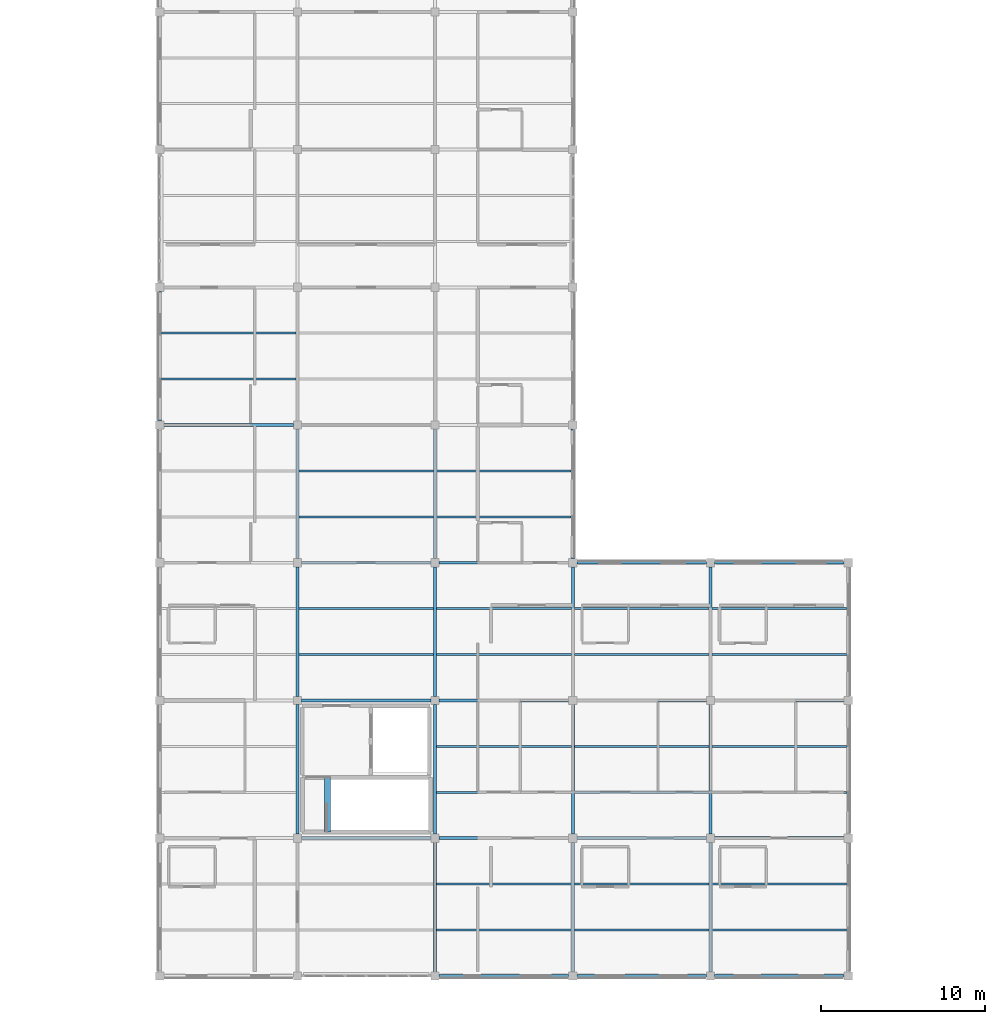
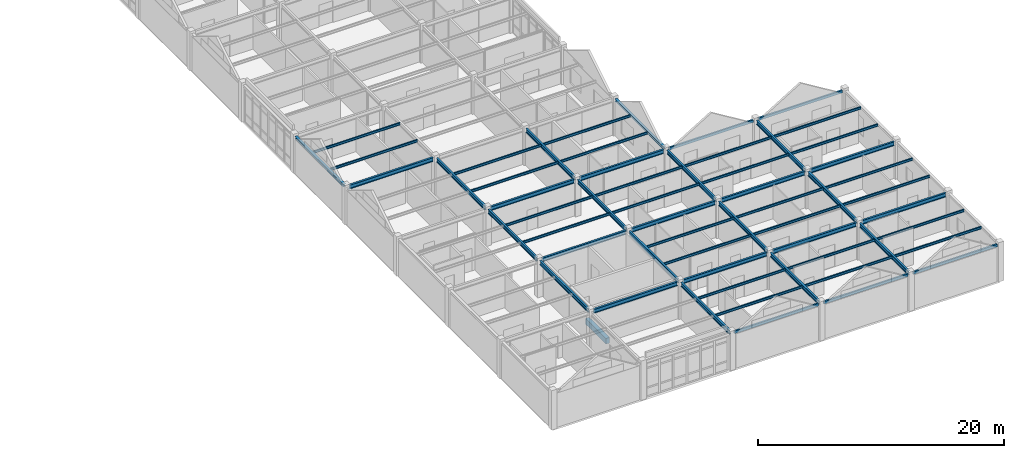
# One storey, part 3 of 45: 58 beams.
"""IFC4 building model written with IfcOpenShell, lengths in metres."""

import ifcopenshell
import ifcopenshell.guid

model = None  # the IFC model being written
_history = None  # IfcOwnerHistory: only IFC2X3 demands one
_inside = {}  # id of a spatial element -> (the spatial element, [elements in it])
_under = {}  # id of a project, library or spatial element -> (it, [spatial elements below it])
_declared = {}  # id of a project -> (the project, [libraries it declares])
_typed = {}  # id of a type object -> (the type object, [elements of that type])
_made_of = {}  # id of a material, layer set ... -> (it, [elements and type objects made of it])


def new_model(schema):
    """Start an empty IFC model of exactly this schema.

    Asked for "IFC4X3", IfcOpenShell would pick the latest addendum, in which some entities
    have other attributes; the version numbers below select the first issue.
    IFC2X3 requires an IfcOwnerHistory on every rooted entity: one is made here for all.
    """
    global model, _history
    if schema == "IFC4X3":
        model = ifcopenshell.file(schema_version=(4, 3, 0, 0))
    else:
        model = ifcopenshell.file(schema=schema)
    _inside.clear()
    _under.clear()
    _declared.clear()
    _typed.clear()
    _made_of.clear()
    _history = None
    if model.schema == "IFC2X3":
        org = make("IfcOrganization", Name="unknown")
        user = make(
            "IfcPersonAndOrganization",
            ThePerson=make("IfcPerson", FamilyName="unknown"),
            TheOrganization=org,
        )
        app = make(
            "IfcApplication",
            ApplicationDeveloper=org,
            Version="unknown",
            ApplicationFullName="unknown",
            ApplicationIdentifier="unknown",
        )
        _history = make(
            "IfcOwnerHistory",
            OwningUser=user,
            OwningApplication=app,
            ChangeAction="ADDED",
            CreationDate=0,
        )
    return model


def make(cls, **values):
    """One entity of the class cls with the attributes given. An attribute that is None is left unset."""
    return model.create_entity(
        cls, **{name: value for name, value in values.items() if value is not None}
    )


def rooted(cls, **values):
    """An entity with a GlobalId (a new one), such as an element, a storey or a relation."""
    return make(cls, GlobalId=ifcopenshell.guid.new(), OwnerHistory=_history, **values)


def si_unit(unit_type, name, prefix=None):
    """IfcSIUnit, for example si_unit("LENGTHUNIT", "METRE", prefix="MILLI")."""
    return make("IfcSIUnit", UnitType=unit_type, Prefix=prefix, Name=name)


def assignment(units):
    """IfcUnitAssignment: the units of a project."""
    return None if units is None else make("IfcUnitAssignment", Units=units)


def point(xyz):
    """IfcCartesianPoint."""
    return None if xyz is None else make("IfcCartesianPoint", Coordinates=xyz)


def direction(xyz):
    """IfcDirection."""
    return None if xyz is None else make("IfcDirection", DirectionRatios=xyz)


def frame(location, z_axis=None, x_axis=None):
    """IfcAxis2Placement3D, a coordinate frame: its origin and axes. An axis left out is left unset."""
    return make(
        "IfcAxis2Placement3D",
        Location=point(location),
        Axis=direction(z_axis),
        RefDirection=direction(x_axis),
    )


def frame_2d(location, x_axis=None):
    """IfcAxis2Placement2D, a coordinate frame in the plane: its origin and x axis."""
    return make(
        "IfcAxis2Placement2D", Location=point(location), RefDirection=direction(x_axis)
    )


def origin():
    """The frame at (0, 0, 0) with its axes left unset."""
    return frame((0.0, 0.0, 0.0))


def origin_2d():
    """The frame at (0, 0) in the plane with its x axis left unset."""
    return frame_2d((0.0, 0.0))


def place(relative_to, where):
    """IfcLocalPlacement: puts the frame where relative to a parent placement (None: the world)."""
    return make(
        "IfcLocalPlacement", PlacementRelTo=relative_to, RelativePlacement=where
    )


def context(
    kind, dimensions, precision=None, world=None, true_north=None, identifier=None
):
    """IfcGeometricRepresentationContext, for example the 3D "Model" context."""
    return make(
        "IfcGeometricRepresentationContext",
        ContextIdentifier=identifier,
        ContextType=kind,
        CoordinateSpaceDimension=dimensions,
        Precision=precision,
        WorldCoordinateSystem=world,
        TrueNorth=true_north,
    )


def subcontext(parent, identifier, kind, view, scale=None):
    """IfcGeometricRepresentationSubContext, for example "Body" below "Model"."""
    return make(
        "IfcGeometricRepresentationSubContext",
        ContextIdentifier=identifier,
        ContextType=kind,
        ParentContext=parent,
        TargetScale=scale,
        TargetView=view,
    )


def project(units=None, contexts=None):
    """IfcProject with its units and contexts."""
    return rooted(
        "IfcProject",
        Name="project",
        RepresentationContexts=contexts,
        UnitsInContext=assignment(units),
    )


def spatial(cls, under=None, at=None, **own):
    """A site, building, storey or space (cls), placed at a placement, below another one or the project."""
    s = rooted(cls, ObjectPlacement=at, **own)
    if under is not None:
        _under.setdefault(under.id(), (under, []))[1].append(s)
    return s


def profile(cls, at=None, kind="AREA", **sizes):
    """A parametric profile (cls). Its sizes go by their IFC names, for example OverallWidth=200.0."""
    return make(cls, ProfileType=kind, Position=at, **sizes)


def rectangle(**sizes):
    """IfcRectangleProfileDef."""
    return profile("IfcRectangleProfileDef", **sizes)


def hollow_rectangle(**sizes):
    """IfcRectangleHollowProfileDef."""
    return profile("IfcRectangleHollowProfileDef", **sizes)


def i_section(**sizes):
    """IfcIShapeProfileDef."""
    return profile("IfcIShapeProfileDef", **sizes)


def extrude(swept, where, along, depth):
    """IfcExtrudedAreaSolid: the profile swept, set in the frame where, extruded along a direction by depth."""
    return make(
        "IfcExtrudedAreaSolid",
        SweptArea=swept,
        Position=where,
        ExtrudedDirection=direction(along),
        Depth=depth,
    )


def shape(context_of_items, identifier, shape_type, items):
    """IfcShapeRepresentation: the items that make up one representation, for example the "Body"."""
    return make(
        "IfcShapeRepresentation",
        ContextOfItems=context_of_items,
        RepresentationIdentifier=identifier,
        RepresentationType=shape_type,
        Items=items,
    )


def material(Name=None, Category=None):
    """IfcMaterial."""
    return make("IfcMaterial", Name=Name, Category=Category)


def material_profile(
    of_material, cross_section, Name=None, Category=None, Priority=None
):
    """IfcMaterialProfile: a cross section and its material."""
    return make(
        "IfcMaterialProfile",
        Name=Name,
        Material=of_material,
        Profile=cross_section,
        Priority=Priority,
        Category=Category,
    )


def profile_set(profiles, Name=None, composite=None):
    """IfcMaterialProfileSet."""
    return make(
        "IfcMaterialProfileSet",
        Name=Name,
        MaterialProfiles=profiles,
        CompositeProfile=composite,
    )


def made_of(thing, what):
    """Note that an element or type object is made of a material, layer set ...; save() writes the relation."""
    if what is not None:
        _made_of.setdefault(what.id(), (what, []))[1].append(thing)
    return thing


def type_object(cls, material=None, **own):
    """A type object (cls), such as IfcWallType, which elements share."""
    return made_of(rooted(cls, **own), material)


def element(
    cls,
    number,
    at=None,
    inside=None,
    cuts=None,
    type_object=None,
    material=None,
    context=None,
    identifier="Body",
    shape_type=None,
    held_by="IfcProductDefinitionShape",
    body=None,
    shapes=None,
    **own,
):
    """One element of the class cls, such as IfcWall. Its Tag is "e" and its number.

    at: its placement. inside: the storey or other place that contains it. cuts: it is an
    opening in that element (IfcRelVoidsElement). A single representation is given by context,
    identifier, shape_type and body (its items); several are given by shapes. held_by: the class
    of the entity that holds the representations. save() writes the other relations.
    """
    e = rooted(cls, Tag="e%d" % number, ObjectPlacement=at, **own)
    if body is not None:
        shapes = [shape(context, identifier, shape_type, body)]
    if shapes is not None:
        e.Representation = make(held_by, Representations=shapes)
    if inside is not None:
        _inside.setdefault(inside.id(), (inside, []))[1].append(e)
    if cuts is not None:
        rooted(
            "IfcRelVoidsElement", RelatingBuildingElement=cuts, RelatedOpeningElement=e
        )
    if type_object is not None:
        _typed.setdefault(type_object.id(), (type_object, []))[1].append(e)
    return made_of(e, material)


def aggregate(whole, parts):
    """IfcRelAggregates: a whole, such as a stair, and the parts it consists of."""
    return rooted("IfcRelAggregates", RelatingObject=whole, RelatedObjects=parts)


def save(model, path):
    """Write the relations noted so far, then the file.

    IfcRelAggregates (storeys below a building ...), IfcRelContainedInSpatialStructure (elements
    in a storey), IfcRelDefinesByType, IfcRelAssociatesMaterial and IfcRelDeclares: one each for
    every whole, place, type object, material and project.
    """
    for whole, parts in _under.values():
        aggregate(whole, parts)
    for where, things in _inside.values():
        rooted(
            "IfcRelContainedInSpatialStructure",
            RelatedElements=things,
            RelatingStructure=where,
        )
    for kind, things in _typed.values():
        rooted("IfcRelDefinesByType", RelatedObjects=things, RelatingType=kind)
    for what, things in _made_of.values():
        rooted("IfcRelAssociatesMaterial", RelatedObjects=things, RelatingMaterial=what)
    for by, libraries in _declared.values():
        rooted("IfcRelDeclares", RelatingContext=by, RelatedDefinitions=libraries)
    model.write(path)


model = new_model("IFC4")

# Units and contexts
model_context = context("Model", 3, precision=1e-05, world=origin(), true_north=direction((0.0, 1.0)))
body_context = subcontext(model_context, "Body", "Model", "MODEL_VIEW")
ifc_project = project(units=[si_unit("LENGTHUNIT", "METRE"), si_unit("AREAUNIT", "SQUARE_METRE"), si_unit("VOLUMEUNIT", "CUBIC_METRE"), si_unit("PLANEANGLEUNIT", "RADIAN"), si_unit("MASSUNIT", "GRAM", prefix="KILO")], contexts=[model_context])

# Site, building, storey
site_placement = place(None, origin())
site = spatial("IfcSite", under=ifc_project, at=site_placement, CompositionType="ELEMENT")
building_placement = place(site_placement, origin())
building = spatial("IfcBuilding", under=site, at=building_placement, Name="Bramfleet General Hospital", CompositionType="ELEMENT")
storey_placement = place(building_placement, frame((0.0, 0.0, 30.300048828125)))
storey = spatial("IfcBuildingStorey", under=building, at=storey_placement, Name="L07", CompositionType="ELEMENT", Elevation=30.300048828125)

# Beams
ifc_material_1 = material(Name="Steel S355", Category="steel")
ifc_material_profile_1 = material_profile(ifc_material_1, i_section(OverallWidth=0.239990234375, OverallDepth=0.22998046875, WebThickness=0.007568359375, FlangeThickness=0.011962890625, FilletRadius=0.02099609375, at=origin_2d()), Name="HEA 240")
ifc_profile_set_1 = profile_set([ifc_material_profile_1], Name="Steel S355")
beam_type_1 = type_object("IfcBeamType", Name="BM-HEA240", PredefinedType="SPANDREL", material=ifc_profile_set_1)
beam_1_placement = place(storey_placement, frame((92.39990234375, 33.85009765625, 3.544921875), z_axis=(0.0, 1.0, 0.0), x_axis=(-1.0, 0.0, 0.0)))
element("IfcBeam", 1, at=beam_1_placement, inside=storey, type_object=beam_type_1, Name="L07 Grid Beam Y 11-04", PredefinedType="SPANDREL", context=body_context, shape_type="SweptSolid", body=[
    extrude(i_section(OverallWidth=0.239990234375, OverallDepth=0.22998046875, WebThickness=0.007568359375, FlangeThickness=0.011962890625, FilletRadius=0.02099609375, at=origin_2d()), origin(), (0.0, 0.0, 1.0), 7.89990234375),
])
beam_2_placement = place(storey_placement, frame((117.60009765625, 25.449951171875, 3.544921875), z_axis=(0.0, 1.0, 0.0), x_axis=(-1.0, 0.0, 0.0)))
element("IfcBeam", 2, at=beam_2_placement, inside=storey, type_object=beam_type_1, Name="L07 Grid Beam Y 14-03", PredefinedType="SPANDREL", context=body_context, shape_type="SweptSolid", body=[
    extrude(i_section(OverallWidth=0.239990234375, OverallDepth=0.22998046875, WebThickness=0.007568359375, FlangeThickness=0.011962890625, FilletRadius=0.02099609375, at=origin_2d()), origin(), (0.0, 0.0, 1.0), 7.900146484375),
])
ifc_material_profile_2 = material_profile(ifc_material_1, i_section(OverallWidth=0.1201171875, OverallDepth=0.239990234375, WebThickness=0.006103515625, FlangeThickness=0.009765625, FilletRadius=0.014892578125, at=origin_2d()), Name="IPE 240")
ifc_profile_set_2 = profile_set([ifc_material_profile_2], Name="Steel S355")
beam_type_2 = type_object("IfcBeamType", Name="BM-IPE240", PredefinedType="JOIST", material=ifc_profile_set_2)
for number, where, z_axis, x_axis, name in (
    (3, (92.52001953125, 36.39990234375, 3.5400390625), (1.0, 0.0, 0.0), (0.0, 1.0, 0.0), "L07 Secondary Joist 11-04-1"),
    (4, (92.52001953125, 39.199951171875, 3.5400390625), (1.0, 0.0, 0.0), (0.0, 1.0, 0.0), "L07 Secondary Joist 11-04-2"),
):
    element("IfcBeam", number, at=place(storey_placement, frame(where, z_axis=z_axis, x_axis=x_axis)), inside=storey, type_object=beam_type_2, Name=name, PredefinedType="JOIST", context=body_context, shape_type="SweptSolid", body=[
        extrude(i_section(OverallWidth=0.1201171875, OverallDepth=0.239990234375, WebThickness=0.006103515625, FlangeThickness=0.009765625, FilletRadius=0.014892578125, at=origin_2d()), origin(), (0.0, 0.0, 1.0), 8.18994140625),
    ])
for number, where, z_axis, x_axis, name in (
    (5, (100.889892578125, 19.60009765625, 3.5400390625), (1.0, 0.0, 0.0), (0.0, 1.0, 0.0), "L07 Secondary Joist 12-02-1"),
    (6, (100.889892578125, 22.39990234375, 3.5400390625), (1.0, 0.0, 0.0), (0.0, 1.0, 0.0), "L07 Secondary Joist 12-02-2"),
    (7, (100.889892578125, 28.0, 3.5400390625), (1.0, 0.0, 0.0), (0.0, 1.0, 0.0), "L07 Secondary Joist 12-03-1"),
    (8, (100.889892578125, 30.800048828125, 3.5400390625), (1.0, 0.0, 0.0), (0.0, 1.0, 0.0), "L07 Secondary Joist 12-03-2"),
):
    element("IfcBeam", number, at=place(storey_placement, frame(where, z_axis=z_axis, x_axis=x_axis)), inside=storey, type_object=beam_type_2, Name=name, PredefinedType="JOIST", context=body_context, shape_type="SweptSolid", body=[
        extrude(i_section(OverallWidth=0.1201171875, OverallDepth=0.239990234375, WebThickness=0.006103515625, FlangeThickness=0.009765625, FilletRadius=0.014892578125, at=origin_2d()), origin(), (0.0, 0.0, 1.0), 8.22021484375),
    ])
for number, where, z_axis, x_axis, name in (
    (9, (109.2900390625, 2.800048828125, 3.5400390625), (1.0, 0.0, 0.0), (0.0, 1.0, 0.0), "L07 Secondary Joist 13-00-1"),
    (10, (109.2900390625, 5.60009765625, 3.5400390625), (1.0, 0.0, 0.0), (0.0, 1.0, 0.0), "L07 Secondary Joist 13-00-2"),
    (11, (109.2900390625, 11.199951171875, 3.5400390625), (1.0, 0.0, 0.0), (0.0, 1.0, 0.0), "L07 Secondary Joist 13-01-1"),
    (12, (109.2900390625, 14.0, 3.5400390625), (1.0, 0.0, 0.0), (0.0, 1.0, 0.0), "L07 Secondary Joist 13-01-2"),
    (13, (109.2900390625, 19.60009765625, 3.5400390625), (1.0, 0.0, 0.0), (0.0, 1.0, 0.0), "L07 Secondary Joist 13-02-1"),
    (14, (109.2900390625, 22.39990234375, 3.5400390625), (1.0, 0.0, 0.0), (0.0, 1.0, 0.0), "L07 Secondary Joist 13-02-2"),
):
    element("IfcBeam", number, at=place(storey_placement, frame(where, z_axis=z_axis, x_axis=x_axis)), inside=storey, type_object=beam_type_2, Name=name, PredefinedType="JOIST", context=body_context, shape_type="SweptSolid", body=[
        extrude(i_section(OverallWidth=0.1201171875, OverallDepth=0.239990234375, WebThickness=0.006103515625, FlangeThickness=0.009765625, FilletRadius=0.014892578125, at=origin_2d()), origin(), (0.0, 0.0, 1.0), 8.219970703125),
    ])
for number, where, z_axis, x_axis, name in (
    (15, (109.2900390625, 28.0, 3.5400390625), (1.0, 0.0, 0.0), (0.0, 1.0, 0.0), "L07 Secondary Joist 13-03-1"),
    (16, (109.2900390625, 30.800048828125, 3.5400390625), (1.0, 0.0, 0.0), (0.0, 1.0, 0.0), "L07 Secondary Joist 13-03-2"),
):
    element("IfcBeam", number, at=place(storey_placement, frame(where, z_axis=z_axis, x_axis=x_axis)), inside=storey, type_object=beam_type_2, Name=name, PredefinedType="JOIST", context=body_context, shape_type="SweptSolid", body=[
        extrude(i_section(OverallWidth=0.1201171875, OverallDepth=0.239990234375, WebThickness=0.006103515625, FlangeThickness=0.009765625, FilletRadius=0.014892578125, at=origin_2d()), origin(), (0.0, 0.0, 1.0), 8.18994140625),
    ])
for number, where, z_axis, x_axis, name in (
    (17, (117.68994140625, 2.800048828125, 3.5400390625), (1.0, 0.0, 0.0), (0.0, 1.0, 0.0), "L07 Secondary Joist 14-00-1"),
    (18, (117.68994140625, 5.60009765625, 3.5400390625), (1.0, 0.0, 0.0), (0.0, 1.0, 0.0), "L07 Secondary Joist 14-00-2"),
    (19, (117.68994140625, 11.199951171875, 3.5400390625), (1.0, 0.0, 0.0), (0.0, 1.0, 0.0), "L07 Secondary Joist 14-01-1"),
    (20, (117.68994140625, 14.0, 3.5400390625), (1.0, 0.0, 0.0), (0.0, 1.0, 0.0), "L07 Secondary Joist 14-01-2"),
    (21, (117.68994140625, 19.60009765625, 3.5400390625), (1.0, 0.0, 0.0), (0.0, 1.0, 0.0), "L07 Secondary Joist 14-02-1"),
    (22, (117.68994140625, 22.39990234375, 3.5400390625), (1.0, 0.0, 0.0), (0.0, 1.0, 0.0), "L07 Secondary Joist 14-02-2"),
):
    element("IfcBeam", number, at=place(storey_placement, frame(where, z_axis=z_axis, x_axis=x_axis)), inside=storey, type_object=beam_type_2, Name=name, PredefinedType="JOIST", context=body_context, shape_type="SweptSolid", body=[
        extrude(i_section(OverallWidth=0.1201171875, OverallDepth=0.239990234375, WebThickness=0.006103515625, FlangeThickness=0.009765625, FilletRadius=0.014892578125, at=origin_2d()), origin(), (0.0, 0.0, 1.0), 8.219970703125),
    ])
for number, where, z_axis, x_axis, name in (
    (23, (126.090087890625, 2.800048828125, 3.5400390625), (1.0, 0.0, 0.0), (0.0, 1.0, 0.0), "L07 Secondary Joist 15-00-1"),
    (24, (126.090087890625, 5.60009765625, 3.5400390625), (1.0, 0.0, 0.0), (0.0, 1.0, 0.0), "L07 Secondary Joist 15-00-2"),
    (25, (126.090087890625, 11.199951171875, 3.5400390625), (1.0, 0.0, 0.0), (0.0, 1.0, 0.0), "L07 Secondary Joist 15-01-1"),
    (26, (126.090087890625, 14.0, 3.5400390625), (1.0, 0.0, 0.0), (0.0, 1.0, 0.0), "L07 Secondary Joist 15-01-2"),
    (27, (126.090087890625, 19.60009765625, 3.5400390625), (1.0, 0.0, 0.0), (0.0, 1.0, 0.0), "L07 Secondary Joist 15-02-1"),
    (28, (126.090087890625, 22.39990234375, 3.5400390625), (1.0, 0.0, 0.0), (0.0, 1.0, 0.0), "L07 Secondary Joist 15-02-2"),
):
    element("IfcBeam", number, at=place(storey_placement, frame(where, z_axis=z_axis, x_axis=x_axis)), inside=storey, type_object=beam_type_2, Name=name, PredefinedType="JOIST", context=body_context, shape_type="SweptSolid", body=[
        extrude(i_section(OverallWidth=0.1201171875, OverallDepth=0.239990234375, WebThickness=0.006103515625, FlangeThickness=0.009765625, FilletRadius=0.014892578125, at=origin_2d()), origin(), (0.0, 0.0, 1.0), 8.18994140625),
    ])
ifc_material_profile_3 = material_profile(ifc_material_1, i_section(OverallWidth=0.179931640625, OverallDepth=0.39990234375, WebThickness=0.008544921875, FlangeThickness=0.013427734375, FilletRadius=0.02099609375, at=origin_2d()), Name="IPE 400")
ifc_profile_set_3 = profile_set([ifc_material_profile_3], Name="Steel S355")
beam_type_3 = type_object("IfcBeamType", Name="BM-IPE400", PredefinedType="BEAM", material=ifc_profile_set_3)
beam_3_placement = place(storey_placement, frame((92.64990234375, 33.60009765625, 3.4599609375), z_axis=(1.0, 0.0, 0.0), x_axis=(0.0, 1.0, 0.0)))
element("IfcBeam", 29, at=beam_3_placement, inside=storey, type_object=beam_type_3, Name="L07 Grid Beam X 11-04", PredefinedType="BEAM", context=body_context, shape_type="SweptSolid", body=[
    extrude(i_section(OverallWidth=0.179931640625, OverallDepth=0.39990234375, WebThickness=0.008544921875, FlangeThickness=0.013427734375, FilletRadius=0.02099609375, at=origin_2d()), origin(), (0.0, 0.0, 1.0), 7.900146484375),
])
for number, where, z_axis, x_axis, name in (
    (30, (101.050048828125, 8.39990234375, 3.4599609375), (1.0, 0.0, 0.0), (0.0, 1.0, 0.0), "L07 Grid Beam X 12-01"),
    (31, (101.050048828125, 16.800048828125, 3.4599609375), (1.0, 0.0, 0.0), (0.0, 1.0, 0.0), "L07 Grid Beam X 12-02"),
    (32, (101.050048828125, 25.199951171875, 3.4599609375), (1.0, 0.0, 0.0), (0.0, 1.0, 0.0), "L07 Grid Beam X 12-03"),
):
    element("IfcBeam", number, at=place(storey_placement, frame(where, z_axis=z_axis, x_axis=x_axis)), inside=storey, type_object=beam_type_3, Name=name, PredefinedType="BEAM", context=body_context, shape_type="SweptSolid", body=[
        extrude(i_section(OverallWidth=0.179931640625, OverallDepth=0.39990234375, WebThickness=0.008544921875, FlangeThickness=0.013427734375, FilletRadius=0.02099609375, at=origin_2d()), origin(), (0.0, 0.0, 1.0), 7.89990234375),
    ])
for number, where, z_axis, x_axis, name in (
    (33, (109.449951171875, 8.39990234375, 3.4599609375), (1.0, 0.0, 0.0), (0.0, 1.0, 0.0), "L07 Grid Beam X 13-01"),
    (34, (109.449951171875, 16.800048828125, 3.4599609375), (1.0, 0.0, 0.0), (0.0, 1.0, 0.0), "L07 Grid Beam X 13-02"),
    (35, (109.449951171875, 25.199951171875, 3.4599609375), (1.0, 0.0, 0.0), (0.0, 1.0, 0.0), "L07 Grid Beam X 13-03"),
):
    element("IfcBeam", number, at=place(storey_placement, frame(where, z_axis=z_axis, x_axis=x_axis)), inside=storey, type_object=beam_type_3, Name=name, PredefinedType="BEAM", context=body_context, shape_type="SweptSolid", body=[
        extrude(i_section(OverallWidth=0.179931640625, OverallDepth=0.39990234375, WebThickness=0.008544921875, FlangeThickness=0.013427734375, FilletRadius=0.02099609375, at=origin_2d()), origin(), (0.0, 0.0, 1.0), 7.900146484375),
    ])
for number, where, z_axis, x_axis, name in (
    (36, (117.85009765625, 8.39990234375, 3.4599609375), (1.0, 0.0, 0.0), (0.0, 1.0, 0.0), "L07 Grid Beam X 14-01"),
    (37, (117.85009765625, 16.800048828125, 3.4599609375), (1.0, 0.0, 0.0), (0.0, 1.0, 0.0), "L07 Grid Beam X 14-02"),
    (38, (126.25, 8.39990234375, 3.4599609375), (1.0, 0.0, 0.0), (0.0, 1.0, 0.0), "L07 Grid Beam X 15-01"),
    (39, (126.25, 16.800048828125, 3.4599609375), (1.0, 0.0, 0.0), (0.0, 1.0, 0.0), "L07 Grid Beam X 15-02"),
):
    element("IfcBeam", number, at=place(storey_placement, frame(where, z_axis=z_axis, x_axis=x_axis)), inside=storey, type_object=beam_type_3, Name=name, PredefinedType="BEAM", context=body_context, shape_type="SweptSolid", body=[
        extrude(i_section(OverallWidth=0.179931640625, OverallDepth=0.39990234375, WebThickness=0.008544921875, FlangeThickness=0.013427734375, FilletRadius=0.02099609375, at=origin_2d()), origin(), (0.0, 0.0, 1.0), 7.89990234375),
    ])
beam_4_placement = place(storey_placement, frame((100.800048828125, 8.64990234375, 3.4599609375), z_axis=(0.0, 1.0, 0.0), x_axis=(-1.0, 0.0, 0.0)))
element("IfcBeam", 40, at=beam_4_placement, inside=storey, type_object=beam_type_3, Name="L07 Grid Beam Y 12-01", PredefinedType="BEAM", context=body_context, shape_type="SweptSolid", body=[
    extrude(i_section(OverallWidth=0.179931640625, OverallDepth=0.39990234375, WebThickness=0.008544921875, FlangeThickness=0.013427734375, FilletRadius=0.02099609375, at=origin_2d()), origin(), (0.0, 0.0, 1.0), 7.900146484375),
])
beam_5_placement = place(storey_placement, frame((100.800048828125, 17.050048828125, 3.4599609375), z_axis=(0.0, 1.0, 0.0), x_axis=(-1.0, 0.0, 0.0)))
element("IfcBeam", 41, at=beam_5_placement, inside=storey, type_object=beam_type_3, Name="L07 Grid Beam Y 12-02", PredefinedType="BEAM", context=body_context, shape_type="SweptSolid", body=[
    extrude(i_section(OverallWidth=0.179931640625, OverallDepth=0.39990234375, WebThickness=0.008544921875, FlangeThickness=0.013427734375, FilletRadius=0.02099609375, at=origin_2d()), origin(), (0.0, 0.0, 1.0), 7.89990234375),
])
beam_6_placement = place(storey_placement, frame((100.800048828125, 25.449951171875, 3.4599609375), z_axis=(0.0, 1.0, 0.0), x_axis=(-1.0, 0.0, 0.0)))
element("IfcBeam", 42, at=beam_6_placement, inside=storey, type_object=beam_type_3, Name="L07 Grid Beam Y 12-03", PredefinedType="BEAM", context=body_context, shape_type="SweptSolid", body=[
    extrude(i_section(OverallWidth=0.179931640625, OverallDepth=0.39990234375, WebThickness=0.008544921875, FlangeThickness=0.013427734375, FilletRadius=0.02099609375, at=origin_2d()), origin(), (0.0, 0.0, 1.0), 7.900146484375),
])
beam_7_placement = place(storey_placement, frame((109.199951171875, 0.25, 3.4599609375), z_axis=(0.0, 1.0, 0.0), x_axis=(-1.0, 0.0, 0.0)))
element("IfcBeam", 43, at=beam_7_placement, inside=storey, type_object=beam_type_3, Name="L07 Grid Beam Y 13-00", PredefinedType="BEAM", context=body_context, shape_type="SweptSolid", body=[
    extrude(i_section(OverallWidth=0.179931640625, OverallDepth=0.39990234375, WebThickness=0.008544921875, FlangeThickness=0.013427734375, FilletRadius=0.02099609375, at=origin_2d()), origin(), (0.0, 0.0, 1.0), 7.89990234375),
])
beam_8_placement = place(storey_placement, frame((109.199951171875, 8.64990234375, 3.4599609375), z_axis=(0.0, 1.0, 0.0), x_axis=(-1.0, 0.0, 0.0)))
element("IfcBeam", 44, at=beam_8_placement, inside=storey, type_object=beam_type_3, Name="L07 Grid Beam Y 13-01", PredefinedType="BEAM", context=body_context, shape_type="SweptSolid", body=[
    extrude(i_section(OverallWidth=0.179931640625, OverallDepth=0.39990234375, WebThickness=0.008544921875, FlangeThickness=0.013427734375, FilletRadius=0.02099609375, at=origin_2d()), origin(), (0.0, 0.0, 1.0), 7.900146484375),
])
beam_9_placement = place(storey_placement, frame((109.199951171875, 17.050048828125, 3.4599609375), z_axis=(0.0, 1.0, 0.0), x_axis=(-1.0, 0.0, 0.0)))
element("IfcBeam", 45, at=beam_9_placement, inside=storey, type_object=beam_type_3, Name="L07 Grid Beam Y 13-02", PredefinedType="BEAM", context=body_context, shape_type="SweptSolid", body=[
    extrude(i_section(OverallWidth=0.179931640625, OverallDepth=0.39990234375, WebThickness=0.008544921875, FlangeThickness=0.013427734375, FilletRadius=0.02099609375, at=origin_2d()), origin(), (0.0, 0.0, 1.0), 7.89990234375),
])
beam_10_placement = place(storey_placement, frame((109.199951171875, 25.449951171875, 3.4599609375), z_axis=(0.0, 1.0, 0.0), x_axis=(-1.0, 0.0, 0.0)))
element("IfcBeam", 46, at=beam_10_placement, inside=storey, type_object=beam_type_3, Name="L07 Grid Beam Y 13-03", PredefinedType="BEAM", context=body_context, shape_type="SweptSolid", body=[
    extrude(i_section(OverallWidth=0.179931640625, OverallDepth=0.39990234375, WebThickness=0.008544921875, FlangeThickness=0.013427734375, FilletRadius=0.02099609375, at=origin_2d()), origin(), (0.0, 0.0, 1.0), 7.900146484375),
])
beam_11_placement = place(storey_placement, frame((117.60009765625, 0.25, 3.4599609375), z_axis=(0.0, 1.0, 0.0), x_axis=(-1.0, 0.0, 0.0)))
element("IfcBeam", 47, at=beam_11_placement, inside=storey, type_object=beam_type_3, Name="L07 Grid Beam Y 14-00", PredefinedType="BEAM", context=body_context, shape_type="SweptSolid", body=[
    extrude(i_section(OverallWidth=0.179931640625, OverallDepth=0.39990234375, WebThickness=0.008544921875, FlangeThickness=0.013427734375, FilletRadius=0.02099609375, at=origin_2d()), origin(), (0.0, 0.0, 1.0), 7.89990234375),
])
beam_12_placement = place(storey_placement, frame((117.60009765625, 8.64990234375, 3.4599609375), z_axis=(0.0, 1.0, 0.0), x_axis=(-1.0, 0.0, 0.0)))
element("IfcBeam", 48, at=beam_12_placement, inside=storey, type_object=beam_type_3, Name="L07 Grid Beam Y 14-01", PredefinedType="BEAM", context=body_context, shape_type="SweptSolid", body=[
    extrude(i_section(OverallWidth=0.179931640625, OverallDepth=0.39990234375, WebThickness=0.008544921875, FlangeThickness=0.013427734375, FilletRadius=0.02099609375, at=origin_2d()), origin(), (0.0, 0.0, 1.0), 7.900146484375),
])
for number, where, z_axis, x_axis, name in (
    (49, (117.60009765625, 17.050048828125, 3.4599609375), (0.0, 1.0, 0.0), (-1.0, 0.0, 0.0), "L07 Grid Beam Y 14-02"),
    (50, (126.0, 0.25, 3.4599609375), (0.0, 1.0, 0.0), (-1.0, 0.0, 0.0), "L07 Grid Beam Y 15-00"),
):
    element("IfcBeam", number, at=place(storey_placement, frame(where, z_axis=z_axis, x_axis=x_axis)), inside=storey, type_object=beam_type_3, Name=name, PredefinedType="BEAM", context=body_context, shape_type="SweptSolid", body=[
        extrude(i_section(OverallWidth=0.179931640625, OverallDepth=0.39990234375, WebThickness=0.008544921875, FlangeThickness=0.013427734375, FilletRadius=0.02099609375, at=origin_2d()), origin(), (0.0, 0.0, 1.0), 7.89990234375),
    ])
beam_13_placement = place(storey_placement, frame((126.0, 8.64990234375, 3.4599609375), z_axis=(0.0, 1.0, 0.0), x_axis=(-1.0, 0.0, 0.0)))
element("IfcBeam", 51, at=beam_13_placement, inside=storey, type_object=beam_type_3, Name="L07 Grid Beam Y 15-01", PredefinedType="BEAM", context=body_context, shape_type="SweptSolid", body=[
    extrude(i_section(OverallWidth=0.179931640625, OverallDepth=0.39990234375, WebThickness=0.008544921875, FlangeThickness=0.013427734375, FilletRadius=0.02099609375, at=origin_2d()), origin(), (0.0, 0.0, 1.0), 7.900146484375),
])
beam_14_placement = place(storey_placement, frame((126.0, 17.050048828125, 3.4599609375), z_axis=(0.0, 1.0, 0.0), x_axis=(-1.0, 0.0, 0.0)))
element("IfcBeam", 52, at=beam_14_placement, inside=storey, type_object=beam_type_3, Name="L07 Grid Beam Y 15-02", PredefinedType="BEAM", context=body_context, shape_type="SweptSolid", body=[
    extrude(i_section(OverallWidth=0.179931640625, OverallDepth=0.39990234375, WebThickness=0.008544921875, FlangeThickness=0.013427734375, FilletRadius=0.02099609375, at=origin_2d()), origin(), (0.0, 0.0, 1.0), 7.89990234375),
])
ifc_material_2 = material(Name="Concrete C35/45", Category="concrete")
ifc_material_profile_4 = material_profile(ifc_material_2, rectangle(XDim=0.35009765625, YDim=0.550048828125, at=origin_2d()), Name="RC BM 550x350")
ifc_profile_set_4 = profile_set([ifc_material_profile_4], Name="Concrete C35/45")
beam_type_4 = type_object("IfcBeamType", Name="BM-RC550", PredefinedType="BEAM", material=ifc_profile_set_4)
beam_15_placement = place(storey_placement, frame((102.639892578125, 8.780029296875, -0.275146484375), z_axis=(0.0, 1.0, 0.0), x_axis=(-1.0, 0.0, 0.0)))
element("IfcBeam", 53, at=beam_15_placement, inside=storey, type_object=beam_type_4, Name="L07 C3 Stairwell Trimmer Beam", PredefinedType="BEAM", context=body_context, shape_type="SweptSolid", body=[
    extrude(rectangle(XDim=0.35009765625, YDim=0.550048828125, at=origin_2d()), origin(), (0.0, 0.0, 1.0), 3.320068359375),
])
ifc_material_profile_5 = material_profile(ifc_material_1, hollow_rectangle(XDim=0.14990234375, YDim=0.25, WallThickness=0.010009765625, at=origin_2d()), Name="RHS 250x150x10.0")
ifc_profile_set_5 = profile_set([ifc_material_profile_5], Name="Steel S355")
beam_type_5 = type_object("IfcBeamType", Name="BM-RHS250", PredefinedType="SPANDREL", material=ifc_profile_set_5)
beam_16_placement = place(storey_placement, frame((109.449951171875, 0.0, 3.534912109375), z_axis=(1.0, 0.0, 0.0), x_axis=(0.0, 1.0, 0.0)))
element("IfcBeam", 54, at=beam_16_placement, inside=storey, type_object=beam_type_5, Name="L07 Grid Beam X 13-00", PredefinedType="SPANDREL", context=body_context, shape_type="SweptSolid", body=[
    extrude(hollow_rectangle(XDim=0.14990234375, YDim=0.25, WallThickness=0.010009765625, at=origin_2d()), origin(), (0.0, 0.0, 1.0), 7.900146484375),
])
for number, where, z_axis, x_axis, name in (
    (55, (117.85009765625, 0.0, 3.534912109375), (1.0, 0.0, 0.0), (0.0, 1.0, 0.0), "L07 Grid Beam X 14-00"),
    (56, (117.85009765625, 25.199951171875, 3.534912109375), (1.0, 0.0, 0.0), (0.0, 1.0, 0.0), "L07 Grid Beam X 14-03"),
    (57, (126.25, 0.0, 3.534912109375), (1.0, 0.0, 0.0), (0.0, 1.0, 0.0), "L07 Grid Beam X 15-00"),
    (58, (126.25, 25.199951171875, 3.534912109375), (1.0, 0.0, 0.0), (0.0, 1.0, 0.0), "L07 Grid Beam X 15-03"),
):
    element("IfcBeam", number, at=place(storey_placement, frame(where, z_axis=z_axis, x_axis=x_axis)), inside=storey, type_object=beam_type_5, Name=name, PredefinedType="SPANDREL", context=body_context, shape_type="SweptSolid", body=[
        extrude(hollow_rectangle(XDim=0.14990234375, YDim=0.25, WallThickness=0.010009765625, at=origin_2d()), origin(), (0.0, 0.0, 1.0), 7.89990234375),
    ])

save(model, "model.ifc")
